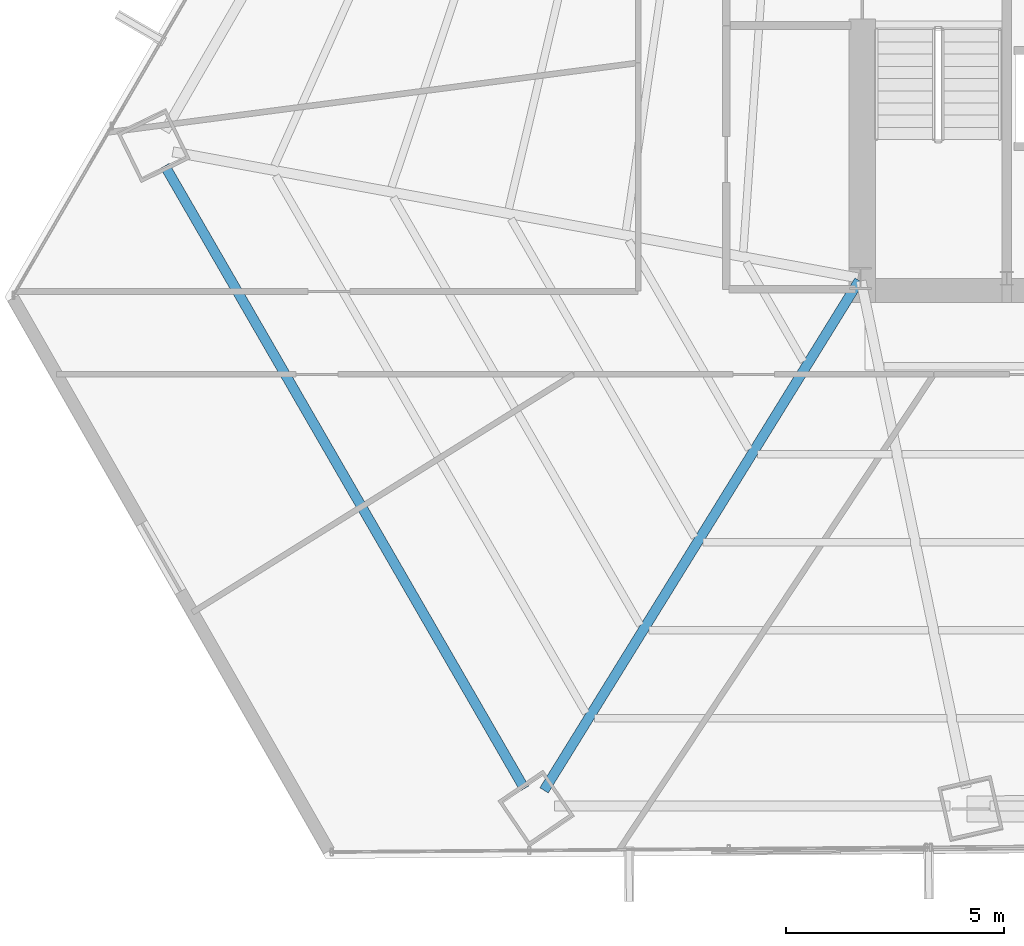
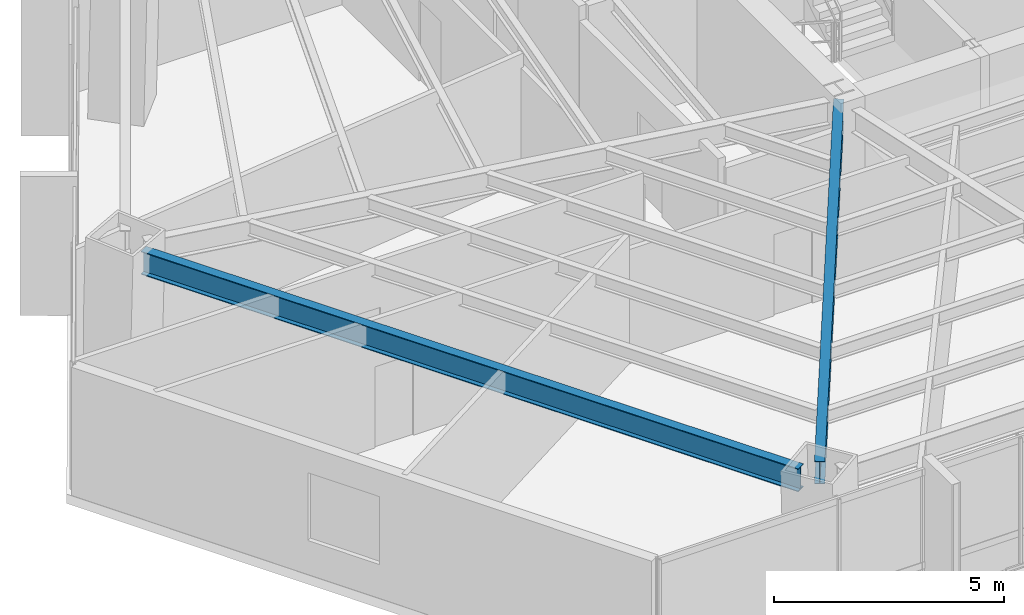
# One storey, part 4 of 34: 2 beams.
"""IFC4 building model written with IfcOpenShell, lengths in metres."""

from ifc_helpers import new_model, si_unit, direction, frame, origin, origin_2d, place, context, subcontext, project, spatial, i_section, extrude, source, transform, mapped, material, material_profile, profile_set, type_object, type_shapes, element, save


model = new_model("IFC4")

# Units and contexts
model_context = context("Model", 3, precision=1e-05, world=origin(), true_north=direction((0.0, 1.0)))
body_context = subcontext(model_context, "Body", "Model", "MODEL_VIEW")
ifc_project = project(units=[si_unit("LENGTHUNIT", "METRE"), si_unit("AREAUNIT", "SQUARE_METRE"), si_unit("VOLUMEUNIT", "CUBIC_METRE"), si_unit("PLANEANGLEUNIT", "RADIAN"), si_unit("MASSUNIT", "GRAM", prefix="KILO")], contexts=[model_context])

# Site, building, storey
site_placement = place(None, origin())
site = spatial("IfcSite", under=ifc_project, at=site_placement, CompositionType="ELEMENT")
building_placement = place(site_placement, origin())
building = spatial("IfcBuilding", under=site, at=building_placement, Name="Caelisora Broadcast Tower", CompositionType="ELEMENT")
storey_placement = place(building_placement, frame((0.0, 0.0, 49.5)))
storey = spatial("IfcBuildingStorey", under=building, at=storey_placement, Name="L12", CompositionType="ELEMENT", Elevation=49.5)

# Beams
ifc_material = material(Name="Steel Grade 350 (AS/NZS 3679.1)", Category="steel")
ifc_material_profile_1 = material_profile(ifc_material, i_section(OverallWidth=0.22900390625, OverallDepth=0.611572265625, WebThickness=0.011962890625, FlangeThickness=0.01953125, at=origin_2d()), Name="Steel Grade 350 (AS/NZS 3679.1)")
ifc_profile_set_1 = profile_set([ifc_material_profile_1], Name="Steel Grade 350 (AS/NZS 3679.1)")
beam_type_1 = type_object("IfcBeamType", Name="PG03", PredefinedType="BEAM", material=ifc_profile_set_1)
shared_shape_1 = source(origin(), body_context, "Body", "SweptSolid", [
    extrude(i_section(OverallWidth=0.22900390625, OverallDepth=0.611572265625, WebThickness=0.011962890625, FlangeThickness=0.01953125, at=origin_2d()), origin(), (0.0, 0.0, 1.0), 16.482177734375),
])
type_shapes(beam_type_1, [shared_shape_1])
beam_1_placement = place(storey_placement, frame((14.552490234375, 19.978515625, 3.09423828125), z_axis=(0.499995991305, -0.866027718193, 0.0), x_axis=(0.866027718193, 0.499995991305, 0.0)))
element("IfcBeam", 1, at=beam_1_placement, inside=storey, type_object=beam_type_1, Name="L12 beam PG03", PredefinedType="BEAM", context=body_context, shape_type="MappedRepresentation", body=[
    mapped(shared_shape_1, transform((0.0, 0.0, 0.0), scale=1.0)),
])
ifc_material_profile_2 = material_profile(ifc_material, i_section(OverallWidth=0.22802734375, OverallDepth=0.602294921875, WebThickness=0.010498046875, FlangeThickness=0.014892578125, at=origin_2d()), Name="Steel Grade 350 (AS/NZS 3679.1)")
ifc_profile_set_2 = profile_set([ifc_material_profile_2], Name="Steel Grade 350 (AS/NZS 3679.1)")
beam_type_2 = type_object("IfcBeamType", Name="PG04", PredefinedType="BEAM", material=ifc_profile_set_2)
shared_shape_2 = source(origin(), body_context, "Body", "SweptSolid", [
    extrude(i_section(OverallWidth=0.22802734375, OverallDepth=0.602294921875, WebThickness=0.010498046875, FlangeThickness=0.014892578125, at=origin_2d()), origin(), (0.0, 0.0, 1.0), 13.738525390625),
])
type_shapes(beam_type_2, [shared_shape_2])
beam_2_placement = place(storey_placement, frame((30.468505859375, 17.34912109375, 3.098876953125), z_axis=(-0.525831448205, -0.850588789062, 0.0), x_axis=(0.850588789062, -0.525831448205, 0.0)))
element("IfcBeam", 2, at=beam_2_placement, inside=storey, type_object=beam_type_2, Name="L12 beam PG04", PredefinedType="BEAM", context=body_context, shape_type="MappedRepresentation", body=[
    mapped(shared_shape_2, transform((0.0, 0.0, 0.0), scale=1.0)),
])

save(model, "model.ifc")
